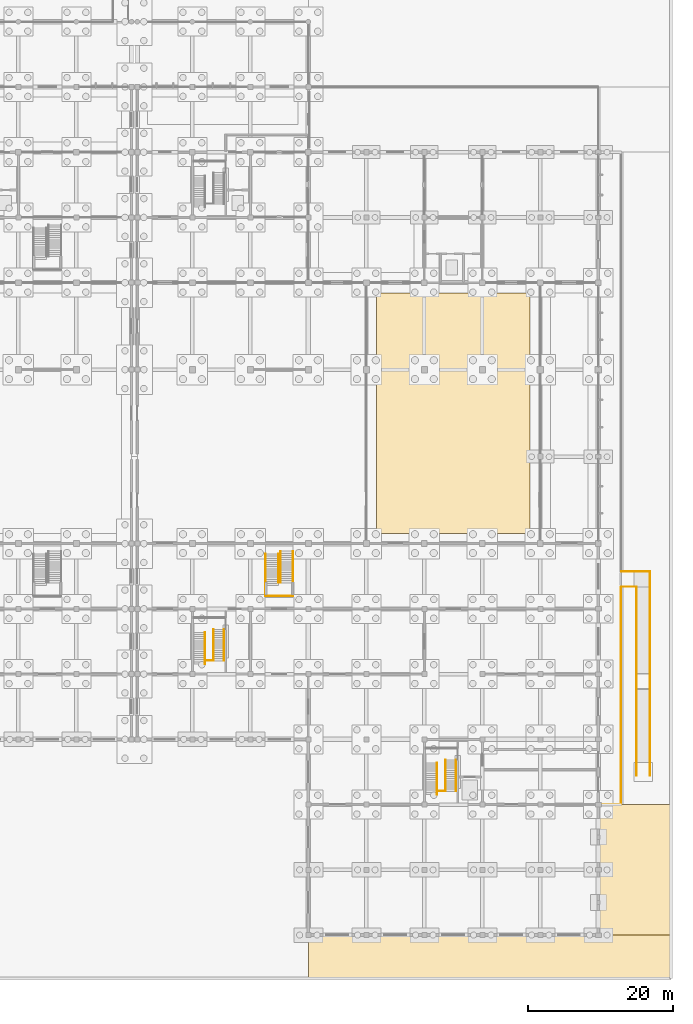
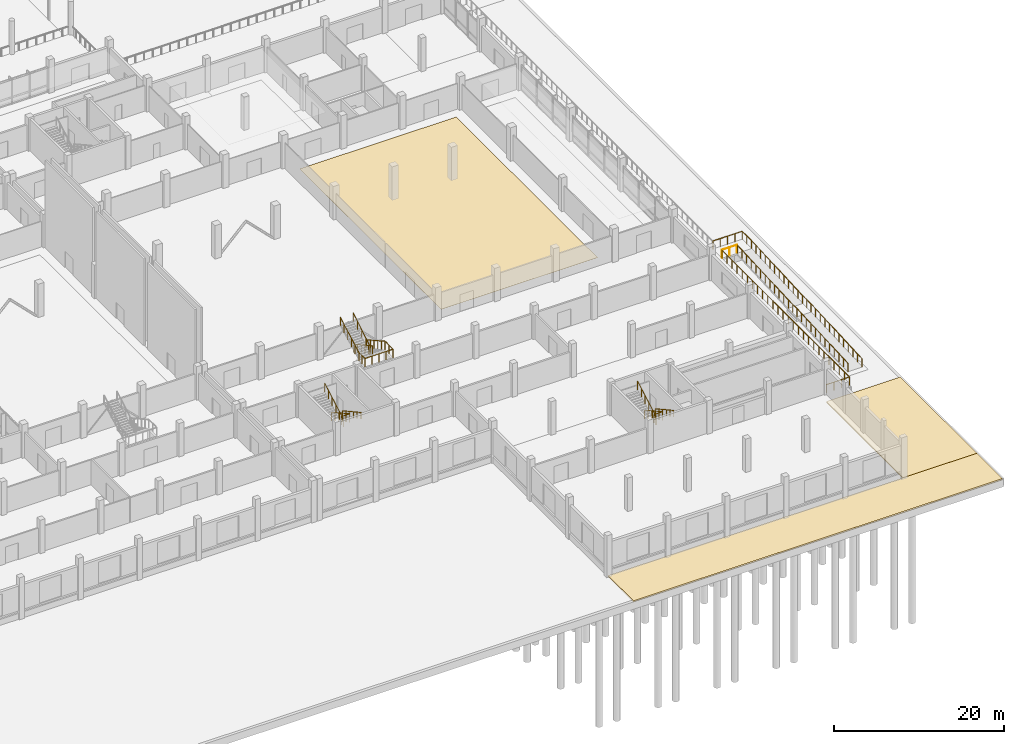
# One storey, part 67 of 72: 10 railings, 3 coverings.
"""IFC4 building model written with IfcOpenShell, lengths in metres."""

from ifc_helpers import new_model, si_unit, direction, frame, origin, origin_2d, place, context, subcontext, project, spatial, polyline, circle, outline, extrude, material, layer, layer_set, type_object, element, save


model = new_model("IFC4")

# Units and contexts
model_context = context("Model", 3, precision=1e-05, world=origin(), true_north=direction((0.0, 1.0)))
body_context = subcontext(model_context, "Body", "Model", "MODEL_VIEW")
ifc_project = project(units=[si_unit("LENGTHUNIT", "METRE"), si_unit("AREAUNIT", "SQUARE_METRE"), si_unit("VOLUMEUNIT", "CUBIC_METRE"), si_unit("PLANEANGLEUNIT", "RADIAN"), si_unit("MASSUNIT", "GRAM", prefix="KILO"), si_unit("THERMODYNAMICTEMPERATUREUNIT", "KELVIN"), si_unit("POWERUNIT", "WATT")], contexts=[model_context])

# Site, building, storey
site_placement = place(None, origin())
site = spatial("IfcSite", under=ifc_project, at=site_placement, CompositionType="ELEMENT")
building_placement = place(site_placement, origin())
building = spatial("IfcBuilding", under=site, at=building_placement, Name="Kronsvod Quay Wholesale Market", CompositionType="ELEMENT")
storey_placement = place(building_placement, origin())
storey = spatial("IfcBuildingStorey", under=building, at=storey_placement, Name="L00", CompositionType="ELEMENT", Elevation=0.0)

# Coverings
ifc_material_1 = material(Name="Heavy-duty polyurethane resin market screed")
ifc_layer_1 = layer(ifc_material_1, 0.02001953125)
ifc_layer_set_1 = layer_set([ifc_layer_1], Name="Heavy-duty polyurethane resin market screed")
covering_type_1 = type_object("IfcCoveringType", Name="Cov_Floor01", PredefinedType="FLOORING", material=ifc_layer_set_1)
covering_1_placement = place(storey_placement, origin())
element("IfcCovering", 1, at=covering_1_placement, inside=storey, type_object=covering_type_1, Name="FLR-SP-L00-V2-05A", PredefinedType="FLOORING", context=body_context, shape_type="SweptSolid", body=[
    extrude(outline(polyline([(161.39990234375, 55.39990234375), (182.60009765625, 55.39990234375), (182.60009765625, 88.60009765625), (161.39990234375, 88.60009765625), (161.39990234375, 55.39990234375)])), origin(), (0.0, 0.0, 1.0), 0.02001953125),
])
ifc_material_2 = material(Name="Natural granite harbour quay paving", Category="masonry")
ifc_layer_2 = layer(ifc_material_2, 0.179931640625)
ifc_layer_set_2 = layer_set([ifc_layer_2], Name="Natural granite harbour quay paving")
covering_type_2 = type_object("IfcCoveringType", Name="Cov_SitePaving160", PredefinedType="USERDEFINED", material=ifc_layer_set_2)
covering_2_placement = place(storey_placement, frame((0.0, 0.0, -1.3798828125)))
element("IfcCovering", 2, at=covering_2_placement, inside=storey, type_object=covering_type_2, Name="PAV-APR-SE", ObjectType="PAVING", PredefinedType="USERDEFINED", context=body_context, shape_type="SweptSolid", body=[
    extrude(outline(polyline([(152.0, -6.0), (202.0, -6.0), (202.0, 0.0), (152.0, 0.0), (152.0, -6.0)])), origin(), (0.0, 0.0, 1.0), 0.179931640625),
])
covering_3_placement = place(storey_placement, frame((0.0, 0.0, -1.3798828125)))
element("IfcCovering", 3, at=covering_3_placement, inside=storey, type_object=covering_type_2, Name="PAV-APR-E0", ObjectType="PAVING", PredefinedType="USERDEFINED", context=body_context, shape_type="SweptSolid", body=[
    extrude(outline(polyline([(192.0, 0.0), (202.0, 0.0), (202.0, 18.0), (192.0, 18.0), (192.0, 0.0)])), origin(), (0.0, 0.0, 1.0), 0.179931640625),
])

# Railings
ifc_material_3 = material(Name="Stainless steel", Category="steel")
railing_type_1 = type_object("IfcRailingType", Name="Railing_Guard1200", PredefinedType="GUARDRAIL", material=ifc_material_3)
railing_1_placement = place(storey_placement, frame((199.14990234375, 22.0, -1.199951171875)))
element("IfcRailing", 4, at=railing_1_placement, inside=storey, type_object=railing_type_1, Name="RMP-E01-GRD1", PredefinedType="GUARDRAIL", context=body_context, shape_type="SweptSolid", body=[
    extrude(circle(Radius=0.02392578125, at=origin_2d()), frame((0.0, 0.0, 1.17578125), z_axis=(0.0, 0.998752946874, 0.049925455535), x_axis=(-1.0, 0.0, 0.0)), (0.0, 0.0, 1.0), 12.014892578125),
    extrude(circle(Radius=0.02392578125, at=origin_2d()), frame((0.0, 12.0, 1.77587890625), z_axis=(0.0, 1.0, 0.0), x_axis=(-1.0, 0.0, 0.0)), (0.0, 0.0, 1.0), 2.0),
    extrude(circle(Radius=0.02392578125, at=origin_2d()), frame((0.0, 14.0, 1.77587890625), z_axis=(0.0, 0.998751933465, 0.049945724537), x_axis=(-1.0, 0.0, 0.0)), (0.0, 0.0, 1.0), 12.014892578125),
    extrude(circle(Radius=0.02392578125, at=origin_2d()), frame((0.0, 26.0, 2.3759765625), z_axis=(0.0, 1.0, 0.0), x_axis=(-1.0, 0.0, 0.0)), (0.0, 0.0, 1.0), 2.14990234375),
    extrude(circle(Radius=0.02392578125, at=origin_2d()), frame((0.0, 28.14990234375, 2.3759765625), z_axis=(-1.0, 0.0, 0.0), x_axis=(0.0, -1.0, 0.0)), (0.0, 0.0, 1.0), 3.949951171875),
    extrude(circle(Radius=0.02099609375, at=origin_2d()), origin(), (0.0, 0.0, 1.0), 1.15185546875),
    extrude(circle(Radius=0.02099609375, at=origin_2d()), frame((0.0, 1.0908203125, 0.054443359375)), (0.0, 0.0, 1.0), 1.15185546875),
    extrude(circle(Radius=0.02099609375, at=origin_2d()), frame((0.0, 2.181884765625, 0.109130859375)), (0.0, 0.0, 1.0), 1.15185546875),
    extrude(circle(Radius=0.02099609375, at=origin_2d()), frame((0.0, 3.272705078125, 0.16357421875)), (0.0, 0.0, 1.0), 1.15185546875),
    extrude(circle(Radius=0.02099609375, at=origin_2d()), frame((0.0, 4.363525390625, 0.218017578125)), (0.0, 0.0, 1.0), 1.15185546875),
    extrude(circle(Radius=0.02099609375, at=origin_2d()), frame((0.0, 5.45458984375, 0.272705078125)), (0.0, 0.0, 1.0), 1.15185546875),
    extrude(circle(Radius=0.02099609375, at=origin_2d()), frame((0.0, 6.54541015625, 0.3271484375)), (0.0, 0.0, 1.0), 1.15185546875),
    extrude(circle(Radius=0.02099609375, at=origin_2d()), frame((0.0, 7.636474609375, 0.3818359375)), (0.0, 0.0, 1.0), 1.15185546875),
    extrude(circle(Radius=0.02099609375, at=origin_2d()), frame((0.0, 8.727294921875, 0.436279296875)), (0.0, 0.0, 1.0), 1.15185546875),
    extrude(circle(Radius=0.02099609375, at=origin_2d()), frame((0.0, 9.818115234375, 0.49072265625)), (0.0, 0.0, 1.0), 1.15185546875),
    extrude(circle(Radius=0.02099609375, at=origin_2d()), frame((0.0, 10.9091796875, 0.54541015625)), (0.0, 0.0, 1.0), 1.15185546875),
    extrude(circle(Radius=0.02099609375, at=origin_2d()), frame((0.0, 12.0, 0.599853515625)), (0.0, 0.0, 1.0), 1.15185546875),
    extrude(circle(Radius=0.02099609375, at=origin_2d()), frame((0.0, 13.0, 0.599853515625)), (0.0, 0.0, 1.0), 1.15185546875),
    extrude(circle(Radius=0.02099609375, at=origin_2d()), frame((0.0, 14.0, 0.599853515625)), (0.0, 0.0, 1.0), 1.15185546875),
    extrude(circle(Radius=0.02099609375, at=origin_2d()), frame((0.0, 15.0908203125, 0.654296875)), (0.0, 0.0, 1.0), 1.15185546875),
    extrude(circle(Radius=0.02099609375, at=origin_2d()), frame((0.0, 16.181884765625, 0.708984375)), (0.0, 0.0, 1.0), 1.15185546875),
    extrude(circle(Radius=0.02099609375, at=origin_2d()), frame((0.0, 17.272705078125, 0.763427734375)), (0.0, 0.0, 1.0), 1.15185546875),
    extrude(circle(Radius=0.02099609375, at=origin_2d()), frame((0.0, 18.363525390625, 0.818115234375)), (0.0, 0.0, 1.0), 1.15185546875),
    extrude(circle(Radius=0.02099609375, at=origin_2d()), frame((0.0, 19.45458984375, 0.87255859375)), (0.0, 0.0, 1.0), 1.15185546875),
    extrude(circle(Radius=0.02099609375, at=origin_2d()), frame((0.0, 20.54541015625, 0.92724609375)), (0.0, 0.0, 1.0), 1.15185546875),
    extrude(circle(Radius=0.02099609375, at=origin_2d()), frame((0.0, 21.636474609375, 0.981689453125)), (0.0, 0.0, 1.0), 1.15185546875),
    extrude(circle(Radius=0.02099609375, at=origin_2d()), frame((0.0, 22.727294921875, 1.036376953125)), (0.0, 0.0, 1.0), 1.15185546875),
    extrude(circle(Radius=0.02099609375, at=origin_2d()), frame((0.0, 23.818115234375, 1.0908203125)), (0.0, 0.0, 1.0), 1.15185546875),
    extrude(circle(Radius=0.02099609375, at=origin_2d()), frame((0.0, 24.9091796875, 1.1455078125)), (0.0, 0.0, 1.0), 1.15185546875),
    extrude(circle(Radius=0.02099609375, at=origin_2d()), frame((0.0, 26.0, 1.199951171875)), (0.0, 0.0, 1.0), 1.15185546875),
    extrude(circle(Radius=0.02099609375, at=origin_2d()), frame((0.0, 27.074951171875, 1.199951171875)), (0.0, 0.0, 1.0), 1.15185546875),
    extrude(circle(Radius=0.02099609375, at=origin_2d()), frame((0.0, 28.14990234375, 1.199951171875)), (0.0, 0.0, 1.0), 1.15185546875),
    extrude(circle(Radius=0.02099609375, at=origin_2d()), frame((-0.987548828125, 28.14990234375, 1.199951171875)), (0.0, 0.0, 1.0), 1.15185546875),
    extrude(circle(Radius=0.02099609375, at=origin_2d()), frame((-1.97509765625, 28.14990234375, 1.199951171875)), (0.0, 0.0, 1.0), 1.15185546875),
    extrude(circle(Radius=0.02099609375, at=origin_2d()), frame((-2.96240234375, 28.14990234375, 1.199951171875)), (0.0, 0.0, 1.0), 1.15185546875),
    extrude(circle(Radius=0.02099609375, at=origin_2d()), frame((-3.949951171875, 28.14990234375, 1.199951171875)), (0.0, 0.0, 1.0), 1.15185546875),
])
railing_2_placement = place(storey_placement, frame((197.25, 22.0, -1.199951171875)))
element("IfcRailing", 5, at=railing_2_placement, inside=storey, type_object=railing_type_1, Name="RMP-E01-GRD2", PredefinedType="GUARDRAIL", context=body_context, shape_type="SweptSolid", body=[
    extrude(circle(Radius=0.02392578125, at=origin_2d()), frame((0.0, 0.0, 1.17578125), z_axis=(0.0, 0.998752946874, 0.049925455535), x_axis=(-1.0, 0.0, 0.0)), (0.0, 0.0, 1.0), 12.014892578125),
    extrude(circle(Radius=0.02392578125, at=origin_2d()), frame((0.0, 12.0, 1.77587890625), z_axis=(0.0, 1.0, 0.0), x_axis=(-1.0, 0.0, 0.0)), (0.0, 0.0, 1.0), 2.0),
    extrude(circle(Radius=0.02392578125, at=origin_2d()), frame((0.0, 14.0, 1.77587890625), z_axis=(0.0, 0.998751933465, 0.049945724537), x_axis=(-1.0, 0.0, 0.0)), (0.0, 0.0, 1.0), 12.014892578125),
    extrude(circle(Radius=0.02099609375, at=origin_2d()), origin(), (0.0, 0.0, 1.0), 1.15185546875),
    extrude(circle(Radius=0.02099609375, at=origin_2d()), frame((0.0, 1.0908203125, 0.054443359375)), (0.0, 0.0, 1.0), 1.15185546875),
    extrude(circle(Radius=0.02099609375, at=origin_2d()), frame((0.0, 2.181884765625, 0.109130859375)), (0.0, 0.0, 1.0), 1.15185546875),
    extrude(circle(Radius=0.02099609375, at=origin_2d()), frame((0.0, 3.272705078125, 0.16357421875)), (0.0, 0.0, 1.0), 1.15185546875),
    extrude(circle(Radius=0.02099609375, at=origin_2d()), frame((0.0, 4.363525390625, 0.218017578125)), (0.0, 0.0, 1.0), 1.15185546875),
    extrude(circle(Radius=0.02099609375, at=origin_2d()), frame((0.0, 5.45458984375, 0.272705078125)), (0.0, 0.0, 1.0), 1.15185546875),
    extrude(circle(Radius=0.02099609375, at=origin_2d()), frame((0.0, 6.54541015625, 0.3271484375)), (0.0, 0.0, 1.0), 1.15185546875),
    extrude(circle(Radius=0.02099609375, at=origin_2d()), frame((0.0, 7.636474609375, 0.3818359375)), (0.0, 0.0, 1.0), 1.15185546875),
    extrude(circle(Radius=0.02099609375, at=origin_2d()), frame((0.0, 8.727294921875, 0.436279296875)), (0.0, 0.0, 1.0), 1.15185546875),
    extrude(circle(Radius=0.02099609375, at=origin_2d()), frame((0.0, 9.818115234375, 0.49072265625)), (0.0, 0.0, 1.0), 1.15185546875),
    extrude(circle(Radius=0.02099609375, at=origin_2d()), frame((0.0, 10.9091796875, 0.54541015625)), (0.0, 0.0, 1.0), 1.15185546875),
    extrude(circle(Radius=0.02099609375, at=origin_2d()), frame((0.0, 12.0, 0.599853515625)), (0.0, 0.0, 1.0), 1.15185546875),
    extrude(circle(Radius=0.02099609375, at=origin_2d()), frame((0.0, 13.0, 0.599853515625)), (0.0, 0.0, 1.0), 1.15185546875),
    extrude(circle(Radius=0.02099609375, at=origin_2d()), frame((0.0, 14.0, 0.599853515625)), (0.0, 0.0, 1.0), 1.15185546875),
    extrude(circle(Radius=0.02099609375, at=origin_2d()), frame((0.0, 15.0908203125, 0.654296875)), (0.0, 0.0, 1.0), 1.15185546875),
    extrude(circle(Radius=0.02099609375, at=origin_2d()), frame((0.0, 16.181884765625, 0.708984375)), (0.0, 0.0, 1.0), 1.15185546875),
    extrude(circle(Radius=0.02099609375, at=origin_2d()), frame((0.0, 17.272705078125, 0.763427734375)), (0.0, 0.0, 1.0), 1.15185546875),
    extrude(circle(Radius=0.02099609375, at=origin_2d()), frame((0.0, 18.363525390625, 0.818115234375)), (0.0, 0.0, 1.0), 1.15185546875),
    extrude(circle(Radius=0.02099609375, at=origin_2d()), frame((0.0, 19.45458984375, 0.87255859375)), (0.0, 0.0, 1.0), 1.15185546875),
    extrude(circle(Radius=0.02099609375, at=origin_2d()), frame((0.0, 20.54541015625, 0.92724609375)), (0.0, 0.0, 1.0), 1.15185546875),
    extrude(circle(Radius=0.02099609375, at=origin_2d()), frame((0.0, 21.636474609375, 0.981689453125)), (0.0, 0.0, 1.0), 1.15185546875),
    extrude(circle(Radius=0.02099609375, at=origin_2d()), frame((0.0, 22.727294921875, 1.036376953125)), (0.0, 0.0, 1.0), 1.15185546875),
    extrude(circle(Radius=0.02099609375, at=origin_2d()), frame((0.0, 23.818115234375, 1.0908203125)), (0.0, 0.0, 1.0), 1.15185546875),
    extrude(circle(Radius=0.02099609375, at=origin_2d()), frame((0.0, 24.9091796875, 1.1455078125)), (0.0, 0.0, 1.0), 1.15185546875),
    extrude(circle(Radius=0.02099609375, at=origin_2d()), frame((0.0, 26.0, 1.199951171875)), (0.0, 0.0, 1.0), 1.15185546875),
])
railing_3_placement = place(storey_placement, frame((195.199951171875, 48.050048828125, 0.0)))
element("IfcRailing", 6, at=railing_3_placement, inside=storey, type_object=railing_type_1, Name="GRD-RMP-E01S", PredefinedType="GUARDRAIL", context=body_context, shape_type="SweptSolid", body=[
    extrude(circle(Radius=0.02392578125, at=origin_2d()), frame((0.0, 0.0, 1.17578125), z_axis=(1.0, 0.0, 0.0), x_axis=(0.0, 1.0, 0.0)), (0.0, 0.0, 1.0), 2.050048828125),
    extrude(circle(Radius=0.02099609375, at=origin_2d()), origin(), (0.0, 0.0, 1.0), 1.15185546875),
    extrude(circle(Radius=0.02099609375, at=origin_2d()), frame((1.02490234375, 0.0, 0.0)), (0.0, 0.0, 1.0), 1.15185546875),
    extrude(circle(Radius=0.02099609375, at=origin_2d()), frame((2.050048828125, 0.0, 0.0)), (0.0, 0.0, 1.0), 1.15185546875),
])
railing_4_placement = place(storey_placement, frame((192.0, 18.050048828125, 0.0)))
element("IfcRailing", 7, at=railing_4_placement, inside=storey, type_object=railing_type_1, Name="GRD-L00-E1", PredefinedType="GUARDRAIL", context=body_context, shape_type="SweptSolid", body=[
    extrude(circle(Radius=0.02392578125, at=origin_2d()), frame((0.0, 0.0, 1.17578125), z_axis=(1.0, 0.0, 0.0), x_axis=(0.0, 1.0, 0.0)), (0.0, 0.0, 1.0), 3.14990234375),
    extrude(circle(Radius=0.02392578125, at=origin_2d()), frame((3.14990234375, 0.0, 1.17578125), z_axis=(0.0, 1.0, 0.0), x_axis=(-1.0, 0.0, 0.0)), (0.0, 0.0, 1.0), 29.949951171875),
    extrude(circle(Radius=0.02099609375, at=origin_2d()), origin(), (0.0, 0.0, 1.0), 1.15185546875),
    extrude(circle(Radius=0.02099609375, at=origin_2d()), frame((1.050048828125, 0.0, 0.0)), (0.0, 0.0, 1.0), 1.15185546875),
    extrude(circle(Radius=0.02099609375, at=origin_2d()), frame((2.099853515625, 0.0, 0.0)), (0.0, 0.0, 1.0), 1.15185546875),
    extrude(circle(Radius=0.02099609375, at=origin_2d()), frame((3.14990234375, 0.0, 0.0)), (0.0, 0.0, 1.0), 1.15185546875),
    extrude(circle(Radius=0.02099609375, at=origin_2d()), frame((3.14990234375, 1.197998046875, 0.0)), (0.0, 0.0, 1.0), 1.15185546875),
    extrude(circle(Radius=0.02099609375, at=origin_2d()), frame((3.14990234375, 2.39599609375, 0.0)), (0.0, 0.0, 1.0), 1.15185546875),
    extrude(circle(Radius=0.02099609375, at=origin_2d()), frame((3.14990234375, 3.593994140625, 0.0)), (0.0, 0.0, 1.0), 1.15185546875),
    extrude(circle(Radius=0.02099609375, at=origin_2d()), frame((3.14990234375, 4.7919921875, 0.0)), (0.0, 0.0, 1.0), 1.15185546875),
    extrude(circle(Radius=0.02099609375, at=origin_2d()), frame((3.14990234375, 5.989990234375, 0.0)), (0.0, 0.0, 1.0), 1.15185546875),
    extrude(circle(Radius=0.02099609375, at=origin_2d()), frame((3.14990234375, 7.18798828125, 0.0)), (0.0, 0.0, 1.0), 1.15185546875),
    extrude(circle(Radius=0.02099609375, at=origin_2d()), frame((3.14990234375, 8.385986328125, 0.0)), (0.0, 0.0, 1.0), 1.15185546875),
    extrude(circle(Radius=0.02099609375, at=origin_2d()), frame((3.14990234375, 9.583984375, 0.0)), (0.0, 0.0, 1.0), 1.15185546875),
    extrude(circle(Radius=0.02099609375, at=origin_2d()), frame((3.14990234375, 10.781982421875, 0.0)), (0.0, 0.0, 1.0), 1.15185546875),
    extrude(circle(Radius=0.02099609375, at=origin_2d()), frame((3.14990234375, 11.97998046875, 0.0)), (0.0, 0.0, 1.0), 1.15185546875),
    extrude(circle(Radius=0.02099609375, at=origin_2d()), frame((3.14990234375, 13.177978515625, 0.0)), (0.0, 0.0, 1.0), 1.15185546875),
    extrude(circle(Radius=0.02099609375, at=origin_2d()), frame((3.14990234375, 14.3759765625, 0.0)), (0.0, 0.0, 1.0), 1.15185546875),
    extrude(circle(Radius=0.02099609375, at=origin_2d()), frame((3.14990234375, 15.573974609375, 0.0)), (0.0, 0.0, 1.0), 1.15185546875),
    extrude(circle(Radius=0.02099609375, at=origin_2d()), frame((3.14990234375, 16.77197265625, 0.0)), (0.0, 0.0, 1.0), 1.15185546875),
    extrude(circle(Radius=0.02099609375, at=origin_2d()), frame((3.14990234375, 17.969970703125, 0.0)), (0.0, 0.0, 1.0), 1.15185546875),
    extrude(circle(Radius=0.02099609375, at=origin_2d()), frame((3.14990234375, 19.16796875, 0.0)), (0.0, 0.0, 1.0), 1.15185546875),
    extrude(circle(Radius=0.02099609375, at=origin_2d()), frame((3.14990234375, 20.365966796875, 0.0)), (0.0, 0.0, 1.0), 1.15185546875),
    extrude(circle(Radius=0.02099609375, at=origin_2d()), frame((3.14990234375, 21.56396484375, 0.0)), (0.0, 0.0, 1.0), 1.15185546875),
    extrude(circle(Radius=0.02099609375, at=origin_2d()), frame((3.14990234375, 22.761962890625, 0.0)), (0.0, 0.0, 1.0), 1.15185546875),
    extrude(circle(Radius=0.02099609375, at=origin_2d()), frame((3.14990234375, 23.9599609375, 0.0)), (0.0, 0.0, 1.0), 1.15185546875),
    extrude(circle(Radius=0.02099609375, at=origin_2d()), frame((3.14990234375, 25.157958984375, 0.0)), (0.0, 0.0, 1.0), 1.15185546875),
    extrude(circle(Radius=0.02099609375, at=origin_2d()), frame((3.14990234375, 26.35595703125, 0.0)), (0.0, 0.0, 1.0), 1.15185546875),
    extrude(circle(Radius=0.02099609375, at=origin_2d()), frame((3.14990234375, 27.553955078125, 0.0)), (0.0, 0.0, 1.0), 1.15185546875),
    extrude(circle(Radius=0.02099609375, at=origin_2d()), frame((3.14990234375, 28.751953125, 0.0)), (0.0, 0.0, 1.0), 1.15185546875),
    extrude(circle(Radius=0.02099609375, at=origin_2d()), frame((3.14990234375, 29.949951171875, 0.0)), (0.0, 0.0, 1.0), 1.15185546875),
])
railing_5_placement = place(storey_placement, frame((138.909912109375, 42.179931640625, 0.0)))
element("IfcRailing", 8, at=railing_5_placement, inside=storey, type_object=railing_type_1, Name="ST05-L00-SLOT-GRD", PredefinedType="GUARDRAIL", context=body_context, shape_type="SweptSolid", body=[
    extrude(circle(Radius=0.02392578125, at=origin_2d()), frame((0.0, 0.0, 1.17578125), z_axis=(0.0, -0.873208496407, 0.487346818809), x_axis=(1.0, 0.0, 0.0)), (0.0, 0.0, 1.0), 4.92431640625),
    extrude(circle(Radius=0.02392578125, at=origin_2d()), frame((0.0, -4.300048828125, 3.57568359375), z_axis=(-1.0, 0.0, 0.0), x_axis=(0.0, -1.0, 0.0)), (0.0, 0.0, 1.0), 1.159912109375),
    extrude(circle(Radius=0.02392578125, at=origin_2d()), frame((-1.159912109375, -4.300048828125, 3.57568359375), z_axis=(0.0, -1.0, 0.0), x_axis=(1.0, 0.0, 0.0)), (0.0, 0.0, 1.0), 0.469970703125),
    extrude(circle(Radius=0.02392578125, at=origin_2d()), frame((-1.159912109375, -4.77001953125, 3.57568359375), z_axis=(0.0, 0.875569800069, 0.483091632309), x_axis=(-1.0, 0.0, 0.0)), (0.0, 0.0, 1.0), 4.96826171875),
    extrude(circle(Radius=0.02099609375, at=origin_2d()), origin(), (0.0, 0.0, 1.0), 1.15185546875),
    extrude(circle(Radius=0.02099609375, at=origin_2d()), frame((0.0, -0.860107421875, 0.47998046875)), (0.0, 0.0, 1.0), 1.15185546875),
    extrude(circle(Radius=0.02099609375, at=origin_2d()), frame((0.0, -1.719970703125, 0.9599609375)), (0.0, 0.0, 1.0), 1.15185546875),
    extrude(circle(Radius=0.02099609375, at=origin_2d()), frame((0.0, -2.580078125, 1.43994140625)), (0.0, 0.0, 1.0), 1.15185546875),
    extrude(circle(Radius=0.02099609375, at=origin_2d()), frame((0.0, -3.43994140625, 1.919921875)), (0.0, 0.0, 1.0), 1.15185546875),
    extrude(circle(Radius=0.02099609375, at=origin_2d()), frame((0.0, -4.300048828125, 2.39990234375)), (0.0, 0.0, 1.0), 1.15185546875),
    extrude(circle(Radius=0.02099609375, at=origin_2d()), frame((-1.159912109375, -4.300048828125, 2.39990234375)), (0.0, 0.0, 1.0), 1.15185546875),
    extrude(circle(Radius=0.02099609375, at=origin_2d()), frame((-1.159912109375, -4.77001953125, 2.39990234375)), (0.0, 0.0, 1.0), 1.15185546875),
    extrude(circle(Radius=0.02099609375, at=origin_2d()), frame((-1.159912109375, -3.89990234375, 2.8798828125)), (0.0, 0.0, 1.0), 1.15185546875),
    extrude(circle(Radius=0.02099609375, at=origin_2d()), frame((-1.159912109375, -3.030029296875, 3.35986328125)), (0.0, 0.0, 1.0), 1.15185546875),
    extrude(circle(Radius=0.02099609375, at=origin_2d()), frame((-1.159912109375, -2.159912109375, 3.840087890625)), (0.0, 0.0, 1.0), 1.15185546875),
    extrude(circle(Radius=0.02099609375, at=origin_2d()), frame((-1.159912109375, -1.2900390625, 4.320068359375)), (0.0, 0.0, 1.0), 1.15185546875),
    extrude(circle(Radius=0.02099609375, at=origin_2d()), frame((-1.159912109375, -0.419921875, 4.800048828125)), (0.0, 0.0, 1.0), 1.15185546875),
])
railing_6_placement = place(storey_placement, frame((170.909912109375, 24.179931640625, 0.0)))
element("IfcRailing", 9, at=railing_6_placement, inside=storey, type_object=railing_type_1, Name="ST06-L00-SLOT-GRD", PredefinedType="GUARDRAIL", context=body_context, shape_type="SweptSolid", body=[
    extrude(circle(Radius=0.02392578125, at=origin_2d()), frame((0.0, 0.0, 1.17578125), z_axis=(0.0, -0.873208496407, 0.487346818809), x_axis=(1.0, 0.0, 0.0)), (0.0, 0.0, 1.0), 4.92431640625),
    extrude(circle(Radius=0.02392578125, at=origin_2d()), frame((0.0, -4.300048828125, 3.57568359375), z_axis=(-1.0, 0.0, 0.0), x_axis=(0.0, -1.0, 0.0)), (0.0, 0.0, 1.0), 1.159912109375),
    extrude(circle(Radius=0.02392578125, at=origin_2d()), frame((-1.159912109375, -4.300048828125, 3.57568359375), z_axis=(0.0, -1.0, 0.0), x_axis=(1.0, 0.0, 0.0)), (0.0, 0.0, 1.0), 0.469970703125),
    extrude(circle(Radius=0.02392578125, at=origin_2d()), frame((-1.159912109375, -4.77001953125, 3.57568359375), z_axis=(0.0, 0.875569800069, 0.483091632309), x_axis=(-1.0, 0.0, 0.0)), (0.0, 0.0, 1.0), 4.96826171875),
    extrude(circle(Radius=0.02099609375, at=origin_2d()), origin(), (0.0, 0.0, 1.0), 1.15185546875),
    extrude(circle(Radius=0.02099609375, at=origin_2d()), frame((0.0, -0.860107421875, 0.47998046875)), (0.0, 0.0, 1.0), 1.15185546875),
    extrude(circle(Radius=0.02099609375, at=origin_2d()), frame((0.0, -1.719970703125, 0.9599609375)), (0.0, 0.0, 1.0), 1.15185546875),
    extrude(circle(Radius=0.02099609375, at=origin_2d()), frame((0.0, -2.580078125, 1.43994140625)), (0.0, 0.0, 1.0), 1.15185546875),
    extrude(circle(Radius=0.02099609375, at=origin_2d()), frame((0.0, -3.43994140625, 1.919921875)), (0.0, 0.0, 1.0), 1.15185546875),
    extrude(circle(Radius=0.02099609375, at=origin_2d()), frame((0.0, -4.300048828125, 2.39990234375)), (0.0, 0.0, 1.0), 1.15185546875),
    extrude(circle(Radius=0.02099609375, at=origin_2d()), frame((-1.159912109375, -4.300048828125, 2.39990234375)), (0.0, 0.0, 1.0), 1.15185546875),
    extrude(circle(Radius=0.02099609375, at=origin_2d()), frame((-1.159912109375, -4.77001953125, 2.39990234375)), (0.0, 0.0, 1.0), 1.15185546875),
    extrude(circle(Radius=0.02099609375, at=origin_2d()), frame((-1.159912109375, -3.89990234375, 2.8798828125)), (0.0, 0.0, 1.0), 1.15185546875),
    extrude(circle(Radius=0.02099609375, at=origin_2d()), frame((-1.159912109375, -3.030029296875, 3.35986328125)), (0.0, 0.0, 1.0), 1.15185546875),
    extrude(circle(Radius=0.02099609375, at=origin_2d()), frame((-1.159912109375, -2.159912109375, 3.840087890625)), (0.0, 0.0, 1.0), 1.15185546875),
    extrude(circle(Radius=0.02099609375, at=origin_2d()), frame((-1.159912109375, -1.2900390625, 4.320068359375)), (0.0, 0.0, 1.0), 1.15185546875),
    extrude(circle(Radius=0.02099609375, at=origin_2d()), frame((-1.159912109375, -0.419921875, 4.800048828125)), (0.0, 0.0, 1.0), 1.15185546875),
])
railing_7_placement = place(storey_placement, frame((148.14990234375, 52.949951171875, 0.0)))
element("IfcRailing", 10, at=railing_7_placement, inside=storey, type_object=railing_type_1, Name="ST-GAL-E2-SLOT-GRD", PredefinedType="GUARDRAIL", context=body_context, shape_type="SweptSolid", body=[
    extrude(circle(Radius=0.02392578125, at=origin_2d()), frame((0.0, 0.0, 1.17578125), z_axis=(0.0, -0.875579117544, 0.483074744652), x_axis=(1.0, 0.0, 0.0)), (0.0, 0.0, 1.0), 4.968017578125),
    extrude(circle(Radius=0.02392578125, at=origin_2d()), frame((0.0, -4.349853515625, 3.57568359375), z_axis=(-1.0, 0.0, 0.0), x_axis=(0.0, -1.0, 0.0)), (0.0, 0.0, 1.0), 0.2998046875),
    extrude(circle(Radius=0.02392578125, at=origin_2d()), frame((-0.2998046875, -4.349853515625, 3.57568359375), z_axis=(0.0, 0.855181543025, 0.518328591213), x_axis=(-1.0, 0.0, 0.0)), (0.0, 0.0, 1.0), 4.630615234375),
    extrude(circle(Radius=0.02099609375, at=origin_2d()), origin(), (0.0, 0.0, 1.0), 1.15185546875),
    extrude(circle(Radius=0.02099609375, at=origin_2d()), frame((0.0, -0.869873046875, 0.47998046875)), (0.0, 0.0, 1.0), 1.15185546875),
    extrude(circle(Radius=0.02099609375, at=origin_2d()), frame((0.0, -1.739990234375, 0.9599609375)), (0.0, 0.0, 1.0), 1.15185546875),
    extrude(circle(Radius=0.02099609375, at=origin_2d()), frame((0.0, -2.60986328125, 1.43994140625)), (0.0, 0.0, 1.0), 1.15185546875),
    extrude(circle(Radius=0.02099609375, at=origin_2d()), frame((0.0, -3.47998046875, 1.919921875)), (0.0, 0.0, 1.0), 1.15185546875),
    extrude(circle(Radius=0.02099609375, at=origin_2d()), frame((0.0, -4.349853515625, 2.39990234375)), (0.0, 0.0, 1.0), 1.15185546875),
    extrude(circle(Radius=0.02099609375, at=origin_2d()), frame((-0.2998046875, -4.349853515625, 2.39990234375)), (0.0, 0.0, 1.0), 1.15185546875),
    extrude(circle(Radius=0.02099609375, at=origin_2d()), frame((-0.2998046875, -3.35986328125, 3.0)), (0.0, 0.0, 1.0), 1.15185546875),
    extrude(circle(Radius=0.02099609375, at=origin_2d()), frame((-0.2998046875, -2.369873046875, 3.60009765625)), (0.0, 0.0, 1.0), 1.15185546875),
    extrude(circle(Radius=0.02099609375, at=origin_2d()), frame((-0.2998046875, -1.3798828125, 4.199951171875)), (0.0, 0.0, 1.0), 1.15185546875),
    extrude(circle(Radius=0.02099609375, at=origin_2d()), frame((-0.2998046875, -0.389892578125, 4.800048828125)), (0.0, 0.0, 1.0), 1.15185546875),
])
railing_8_placement = place(storey_placement, frame((149.89990234375, 52.949951171875, 0.0)))
element("IfcRailing", 11, at=railing_8_placement, inside=storey, type_object=railing_type_1, Name="ST-GAL-E2-OUT-GRD", PredefinedType="GUARDRAIL", context=body_context, shape_type="SweptSolid", body=[
    extrude(circle(Radius=0.02392578125, at=origin_2d()), frame((0.0, 0.0, 1.17578125), z_axis=(0.0, -0.872724433274, 0.488213133342), x_axis=(1.0, 0.0, 0.0)), (0.0, 0.0, 1.0), 4.915771484375),
    extrude(circle(Radius=0.02392578125, at=origin_2d()), frame((0.0, -4.2900390625, 3.57568359375), z_axis=(0.0, -1.0, 0.0), x_axis=(1.0, 0.0, 0.0)), (0.0, 0.0, 1.0), 1.8798828125),
    extrude(circle(Radius=0.02392578125, at=origin_2d()), frame((0.0, -6.169921875, 3.57568359375), z_axis=(-1.0, 0.0, 0.0), x_axis=(0.0, -1.0, 0.0)), (0.0, 0.0, 1.0), 3.7998046875),
    extrude(circle(Radius=0.02392578125, at=origin_2d()), frame((-3.7998046875, -6.169921875, 3.57568359375), z_axis=(0.0, 1.0, 0.0), x_axis=(-1.0, 0.0, 0.0)), (0.0, 0.0, 1.0), 1.429931640625),
    extrude(circle(Radius=0.02392578125, at=origin_2d()), frame((-3.7998046875, -4.739990234375, 3.57568359375), z_axis=(0.0, 0.875569800069, 0.483091632309), x_axis=(-1.0, 0.0, 0.0)), (0.0, 0.0, 1.0), 4.96826171875),
    extrude(circle(Radius=0.02099609375, at=origin_2d()), origin(), (0.0, 0.0, 1.0), 1.15185546875),
    extrude(circle(Radius=0.02099609375, at=origin_2d()), frame((0.0, -0.85791015625, 0.47998046875)), (0.0, 0.0, 1.0), 1.15185546875),
    extrude(circle(Radius=0.02099609375, at=origin_2d()), frame((0.0, -1.716064453125, 0.9599609375)), (0.0, 0.0, 1.0), 1.15185546875),
    extrude(circle(Radius=0.02099609375, at=origin_2d()), frame((0.0, -2.573974609375, 1.43994140625)), (0.0, 0.0, 1.0), 1.15185546875),
    extrude(circle(Radius=0.02099609375, at=origin_2d()), frame((0.0, -3.43212890625, 1.919921875)), (0.0, 0.0, 1.0), 1.15185546875),
    extrude(circle(Radius=0.02099609375, at=origin_2d()), frame((0.0, -4.2900390625, 2.39990234375)), (0.0, 0.0, 1.0), 1.15185546875),
    extrude(circle(Radius=0.02099609375, at=origin_2d()), frame((0.0, -5.22998046875, 2.39990234375)), (0.0, 0.0, 1.0), 1.15185546875),
    extrude(circle(Radius=0.02099609375, at=origin_2d()), frame((0.0, -6.169921875, 2.39990234375)), (0.0, 0.0, 1.0), 1.15185546875),
    extrude(circle(Radius=0.02099609375, at=origin_2d()), frame((-0.949951171875, -6.169921875, 2.39990234375)), (0.0, 0.0, 1.0), 1.15185546875),
    extrude(circle(Radius=0.02099609375, at=origin_2d()), frame((-1.89990234375, -6.169921875, 2.39990234375)), (0.0, 0.0, 1.0), 1.15185546875),
    extrude(circle(Radius=0.02099609375, at=origin_2d()), frame((-2.849853515625, -6.169921875, 2.39990234375)), (0.0, 0.0, 1.0), 1.15185546875),
    extrude(circle(Radius=0.02099609375, at=origin_2d()), frame((-3.7998046875, -6.169921875, 2.39990234375)), (0.0, 0.0, 1.0), 1.15185546875),
    extrude(circle(Radius=0.02099609375, at=origin_2d()), frame((-3.7998046875, -5.455078125, 2.39990234375)), (0.0, 0.0, 1.0), 1.15185546875),
    extrude(circle(Radius=0.02099609375, at=origin_2d()), frame((-3.7998046875, -4.739990234375, 2.39990234375)), (0.0, 0.0, 1.0), 1.15185546875),
    extrude(circle(Radius=0.02099609375, at=origin_2d()), frame((-3.7998046875, -3.869873046875, 2.8798828125)), (0.0, 0.0, 1.0), 1.15185546875),
    extrude(circle(Radius=0.02099609375, at=origin_2d()), frame((-3.7998046875, -3.0, 3.35986328125)), (0.0, 0.0, 1.0), 1.15185546875),
    extrude(circle(Radius=0.02099609375, at=origin_2d()), frame((-3.7998046875, -2.1298828125, 3.840087890625)), (0.0, 0.0, 1.0), 1.15185546875),
    extrude(circle(Radius=0.02099609375, at=origin_2d()), frame((-3.7998046875, -1.260009765625, 4.320068359375)), (0.0, 0.0, 1.0), 1.15185546875),
    extrude(circle(Radius=0.02099609375, at=origin_2d()), frame((-3.7998046875, -0.389892578125, 4.800048828125)), (0.0, 0.0, 1.0), 1.15185546875),
])
ifc_material_4 = material(Name="Stainless steel", Category="steel")
railing_type_2 = type_object("IfcRailingType", Name="Railing_Handrail900", PredefinedType="HANDRAIL", material=ifc_material_4)
for number, where, name in (
    (12, (140.3798828125, 42.179931640625, 0.0), "ST05-L00-HDR"),
    (13, (172.3798828125, 24.179931640625, 0.0), "ST06-L00-HDR"),
):
    element("IfcRailing", number, at=place(storey_placement, frame(where)), inside=storey, type_object=railing_type_2, Name=name, PredefinedType="HANDRAIL", context=body_context, shape_type="SweptSolid", body=[
        extrude(circle(Radius=0.02392578125, at=origin_2d()), frame((0.0, 0.0, 0.8759765625), z_axis=(0.0, -0.875579117544, 0.483074744652), x_axis=(1.0, 0.0, 0.0)), (0.0, 0.0, 1.0), 4.968017578125),
        extrude(circle(Radius=0.02099609375, at=origin_2d()), origin(), (0.0, 0.0, 1.0), 0.851806640625),
        extrude(circle(Radius=0.02099609375, at=origin_2d()), frame((0.0, -0.869873046875, 0.47998046875)), (0.0, 0.0, 1.0), 0.851806640625),
        extrude(circle(Radius=0.02099609375, at=origin_2d()), frame((0.0, -1.739990234375, 0.9599609375)), (0.0, 0.0, 1.0), 0.851806640625),
        extrude(circle(Radius=0.02099609375, at=origin_2d()), frame((0.0, -2.60986328125, 1.43994140625)), (0.0, 0.0, 1.0), 0.851806640625),
        extrude(circle(Radius=0.02099609375, at=origin_2d()), frame((0.0, -3.47998046875, 1.919921875)), (0.0, 0.0, 1.0), 0.851806640625),
        extrude(circle(Radius=0.02099609375, at=origin_2d()), frame((0.0, -4.349853515625, 2.39990234375)), (0.0, 0.0, 1.0), 0.851806640625),
    ])

save(model, "model.ifc")
